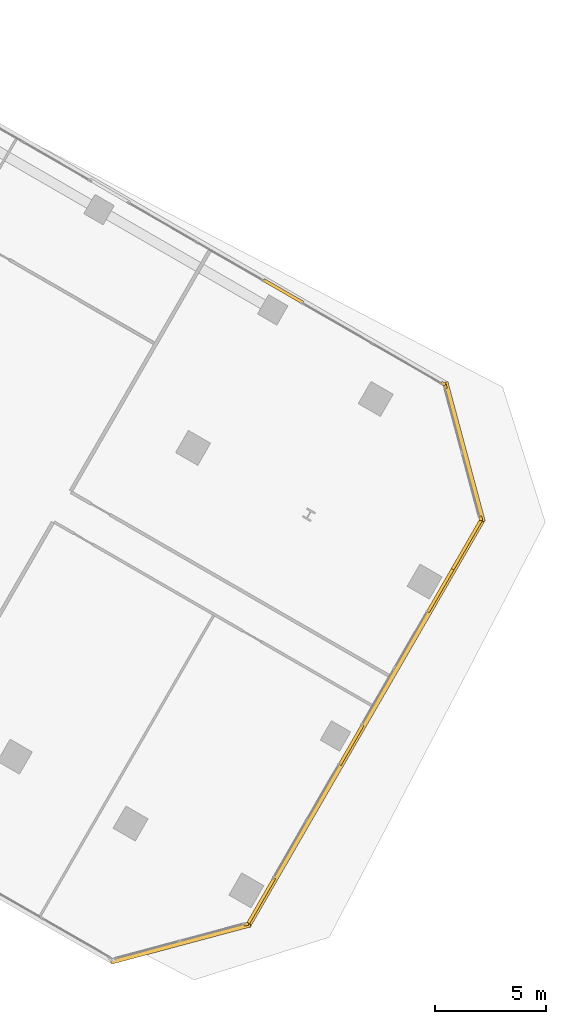
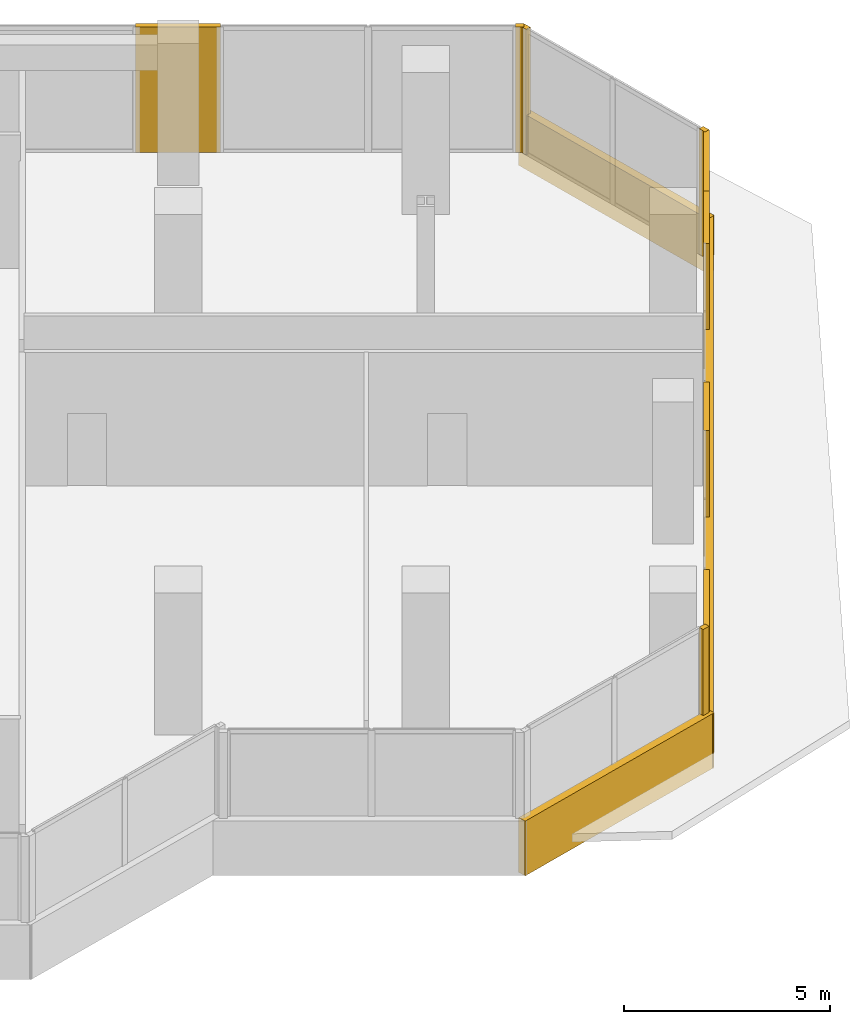
# One storey, part 20 of 21: 12 coverings.
"""IFC4 building model written with IfcOpenShell, lengths in metres."""

from ifc_helpers import new_model, si_unit, direction, frame, origin, origin_2d, place, context, subcontext, project, spatial, rectangle, extrude, source, transform, mapped, material, layer, layer_set, type_object, element, save


model = new_model("IFC4")

# Units and contexts
model_context = context("Model", 3, precision=1e-05, world=origin(), true_north=direction((0.0, 1.0)))
body_context = subcontext(model_context, "Body", "Model", "MODEL_VIEW")
ifc_project = project(units=[si_unit("LENGTHUNIT", "METRE"), si_unit("AREAUNIT", "SQUARE_METRE"), si_unit("VOLUMEUNIT", "CUBIC_METRE"), si_unit("PLANEANGLEUNIT", "RADIAN"), si_unit("MASSUNIT", "GRAM", prefix="KILO")], contexts=[model_context])

# Site, building, storey
site_placement = place(None, origin())
site = spatial("IfcSite", under=ifc_project, at=site_placement, CompositionType="ELEMENT")
building_placement = place(site_placement, origin())
building = spatial("IfcBuilding", under=site, at=building_placement, Name="Torre Montelarca", CompositionType="ELEMENT")
storey_placement = place(building_placement, frame((0.0, 0.0, 179.199951171875)))
storey = spatial("IfcBuildingStorey", under=building, at=storey_placement, Name="L40", CompositionType="ELEMENT", Elevation=179.199951171875)

# Coverings
ifc_material = material(Name="Bush-hammered warm white precast concrete C45/55", Category="concrete")
ifc_layer = layer(ifc_material, 0.139892578125, Name="Bush-hammered warm white precast concrete C45/55", Category="concrete")
ifc_layer_set = layer_set([ifc_layer], Name="Bush-hammered warm white precast concrete C45/55")
covering_type = type_object("IfcCoveringType", Name="COV-TRAY-CLAD", PredefinedType="CLADDING", material=ifc_layer_set)
shared_shape_1 = source(origin(), body_context, "Body", "SweptSolid", [
    extrude(rectangle(XDim=6.48388671875, YDim=0.219970703125, at=origin_2d()), origin(), (0.0, 0.0, 1.0), 1.6201171875),
])
for number, where, z_axis, x_axis, name in (
    (1, (37.497802734375, 9.451416015625, -0.449951171875), (0.0, 0.0, 1.0), (0.965922212399, 0.258832531946, 0.0), "L40 Architectural White Spandrel Tray Band TRYBOT-05"),
    (2, (50.2265625, 31.498291015625, -0.449951171875), (0.0, 0.0, 1.0), (-0.258817359244, 0.965926278012, 0.0), "L40 Architectural White Spandrel Tray Band TRYBOT-07"),
):
    element("IfcCovering", number, at=place(storey_placement, frame(where, z_axis=z_axis, x_axis=x_axis)), inside=storey, type_object=covering_type, Name=name, PredefinedType="CLADDING", context=body_context, shape_type="MappedRepresentation", body=[
        mapped(shared_shape_1, transform((0.0, 0.0, 0.0), scale=1.0)),
    ])
shared_shape_2 = source(origin(), body_context, "Body", "SweptSolid", [
    extrude(rectangle(XDim=21.1201171875, YDim=0.219970703125, at=origin_2d()), origin(), (0.0, 0.0, 1.0), 1.6201171875),
])
covering_1_placement = place(storey_placement, frame((45.802978515625, 19.354248046875, -0.449951171875), z_axis=(0.0, 0.0, 1.0), x_axis=(0.5, 0.866025403784, 0.0)))
element("IfcCovering", 3, at=covering_1_placement, inside=storey, type_object=covering_type, Name="L40 Architectural White Spandrel Tray Band TRYBOT-06", PredefinedType="CLADDING", context=body_context, shape_type="MappedRepresentation", body=[
    mapped(shared_shape_2, transform((0.0, 0.0, 0.0), scale=1.0)),
])
shared_shape_3 = source(origin(), body_context, "Body", "SweptSolid", [
    extrude(rectangle(XDim=0.199951171875, YDim=0.139892578125, at=origin_2d()), origin(), (0.0, 0.0, 1.0), 3.719970703125),
])
for number, where, z_axis, x_axis, name in (
    (4, (40.44384765625, 10.302978515625, 0.0), (0.0, 0.0, 1.0), (0.96592176065, 0.258834217798, 0.0), "L40 Architectural Column Pier Cladding E05-2"),
    (5, (50.962158203125, 28.52099609375, 0.0), (0.0, 0.0, 1.0), (-0.258819045103, 0.965925826289, 0.0), "L40 Architectural Column Pier Cladding E07-1"),
    (6, (49.375, 34.4443359375, 0.0), (0.0, 0.0, 1.0), (-0.258819045103, 0.965925826289, 0.0), "L40 Architectural Column Pier Cladding E07-2"),
    (7, (49.28662109375, 34.5595703125, 0.0), (0.0, 0.0, 1.0), (-0.866025403784, 0.5, 0.0), "L40 Architectural Column Pier Cladding E08-1"),
):
    element("IfcCovering", number, at=place(storey_placement, frame(where, z_axis=z_axis, x_axis=x_axis)), inside=storey, type_object=covering_type, Name=name, PredefinedType="CLADDING", context=body_context, shape_type="MappedRepresentation", body=[
        mapped(shared_shape_3, transform((0.0, 0.0, 0.0), scale=1.0)),
    ])
shared_shape_4 = source(origin(), body_context, "Body", "SweptSolid", [
    extrude(rectangle(XDim=2.2099609375, YDim=0.139892578125, at=origin_2d()), origin(), (0.0, 0.0, 1.0), 3.719970703125),
])
covering_2_placement = place(storey_placement, frame((49.151123046875, 25.273193359375, 0.0), z_axis=(0.0, 0.0, 1.0), x_axis=(0.500001511499, 0.866024531118, 0.0)))
element("IfcCovering", 8, at=covering_2_placement, inside=storey, type_object=covering_type, Name="L40 Architectural Column Pier Cladding E06-3", PredefinedType="CLADDING", context=body_context, shape_type="MappedRepresentation", body=[
    mapped(shared_shape_4, transform((0.0, 0.0, 0.0), scale=1.0)),
])
shared_shape_5 = source(origin(), body_context, "Body", "SweptSolid", [
    extrude(rectangle(XDim=2.67919921875, YDim=0.139892578125, at=origin_2d()), origin(), (0.0, 0.0, 1.0), 3.719970703125),
])
covering_3_placement = place(storey_placement, frame((50.323486328125, 27.3037109375, 0.0), z_axis=(0.0, 0.0, 1.0), x_axis=(0.500001511499, 0.866024531118, 0.0)))
element("IfcCovering", 9, at=covering_3_placement, inside=storey, type_object=covering_type, Name="L40 Architectural Column Pier Cladding E06-4", PredefinedType="CLADDING", context=body_context, shape_type="MappedRepresentation", body=[
    mapped(shared_shape_5, transform((0.0, 0.0, 0.0), scale=1.0)),
])
shared_shape_6 = source(origin(), body_context, "Body", "SweptSolid", [
    extrude(rectangle(XDim=2.06005859375, YDim=0.139892578125, at=origin_2d()), origin(), (0.0, 0.0, 1.0), 3.719970703125),
])
for number, where, z_axis, x_axis, name in (
    (10, (45.151123046875, 18.344970703125, 0.0), (0.0, 0.0, 1.0), (0.500001511499, 0.866024531118, 0.0), "L40 Architectural Column Pier Cladding E06-2"),
    (11, (42.1123046875, 38.70166015625, 0.0), (0.0, 0.0, 1.0), (-0.866025403784, 0.5, 0.0), "L40 Architectural Column Pier Cladding E08-2"),
):
    element("IfcCovering", number, at=place(storey_placement, frame(where, z_axis=z_axis, x_axis=x_axis)), inside=storey, type_object=covering_type, Name=name, PredefinedType="CLADDING", context=body_context, shape_type="MappedRepresentation", body=[
        mapped(shared_shape_6, transform((0.0, 0.0, 0.0), scale=1.0)),
    ])
shared_shape_7 = source(origin(), body_context, "Body", "SweptSolid", [
    extrude(rectangle(XDim=2.38916015625, YDim=0.139892578125, at=origin_2d()), origin(), (0.0, 0.0, 1.0), 3.719970703125),
])
covering_4_placement = place(storey_placement, frame((41.106201171875, 11.339111328125, 0.0), z_axis=(0.0, 0.0, 1.0), x_axis=(0.500001511499, 0.866024531118, 0.0)))
element("IfcCovering", 12, at=covering_4_placement, inside=storey, type_object=covering_type, Name="L40 Architectural Column Pier Cladding E06-1", PredefinedType="CLADDING", context=body_context, shape_type="MappedRepresentation", body=[
    mapped(shared_shape_7, transform((0.0, 0.0, 0.0), scale=1.0)),
])

save(model, "model.ifc")
